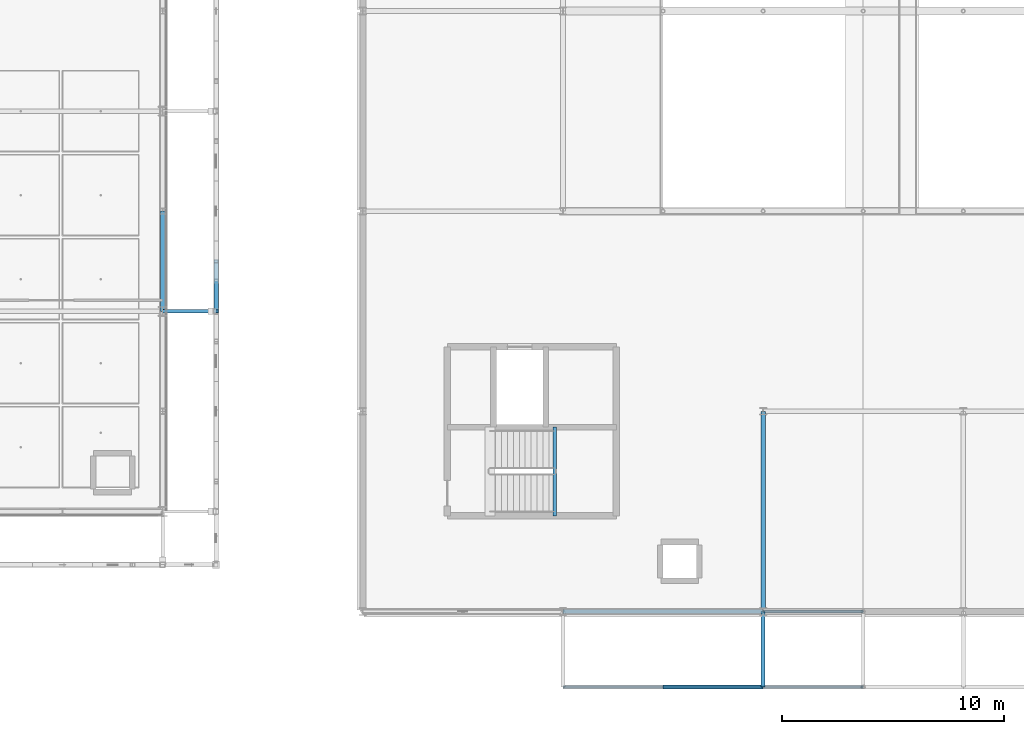
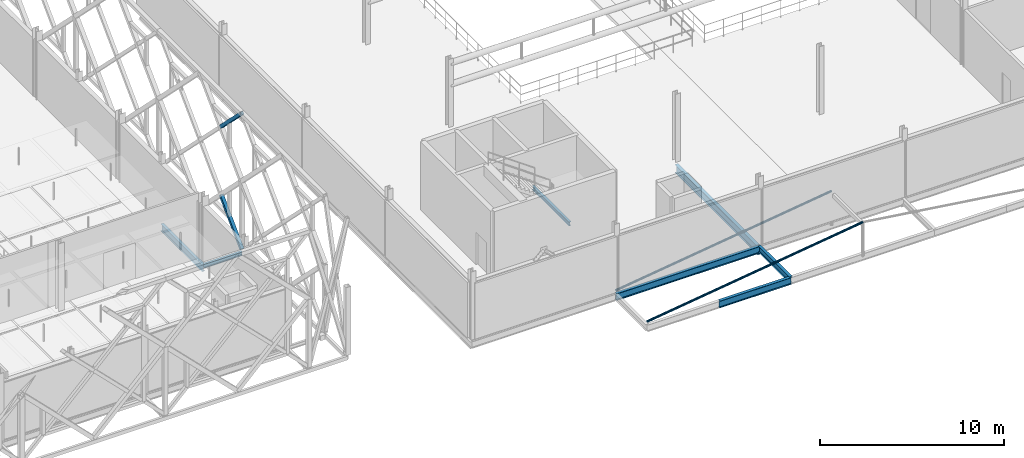
# One storey, part 33 of 140: 7 beams, 4 members.
"""IFC4 building model written with IfcOpenShell, lengths in metres."""

from ifc_helpers import new_model, si_unit, direction, frame, origin, origin_2d, place, context, subcontext, project, spatial, hollow_rectangle, hollow_circle, i_section, extrude, material, material_profile, profile_set, type_object, element, save


model = new_model("IFC4")

# Units and contexts
model_context = context("Model", 3, precision=1e-05, world=origin(), true_north=direction((0.0, 1.0)))
body_context = subcontext(model_context, "Body", "Model", "MODEL_VIEW")
ifc_project = project(units=[si_unit("LENGTHUNIT", "METRE"), si_unit("AREAUNIT", "SQUARE_METRE"), si_unit("VOLUMEUNIT", "CUBIC_METRE"), si_unit("PLANEANGLEUNIT", "RADIAN"), si_unit("MASSUNIT", "GRAM", prefix="KILO"), si_unit("THERMODYNAMICTEMPERATUREUNIT", "KELVIN"), si_unit("POWERUNIT", "WATT")], contexts=[model_context])

# Site, building, storey
site_placement = place(None, origin())
site = spatial("IfcSite", under=ifc_project, at=site_placement, CompositionType="ELEMENT")
building_placement = place(site_placement, origin())
building = spatial("IfcBuilding", under=site, at=building_placement, Name="Tallowbark Science Centre", CompositionType="ELEMENT")
storey_placement = place(building_placement, frame((0.0, 0.0, 9.89990234375)))
storey = spatial("IfcBuildingStorey", under=building, at=storey_placement, Name="L02", CompositionType="ELEMENT", Elevation=9.89990234375)

# Beams
ifc_material_1 = material(Name="White Architectural Painted Steel Grade C350L0 (350 MPa)", Category="steel")
ifc_material_profile_1 = material_profile(ifc_material_1, i_section(OverallWidth=0.146484375, OverallDepth=0.256103515625, WebThickness=0.00634765625, FlangeThickness=0.010986328125, FilletRadius=0.0087890625, at=origin_2d()), Name="250UB37.3")
ifc_profile_set_1 = profile_set([ifc_material_profile_1], Name="White Architectural Painted Steel Grade C350L0 (350 MPa)")
beam_type_1 = type_object("IfcBeamType", Name="BM-OUT250", PredefinedType="BEAM", material=ifc_profile_set_1)
beam_1_placement = place(storey_placement, frame((103.5, 13.5, -0.25), z_axis=(1.0, 0.0, 0.0), x_axis=(0.0, 1.0, 0.0)))
element("IfcBeam", 1, at=beam_1_placement, inside=storey, type_object=beam_type_1, Name="Star Screen Outrigger Tie Beam E-32", PredefinedType="BEAM", context=body_context, shape_type="SweptSolid", body=[
    extrude(i_section(OverallWidth=0.146484375, OverallDepth=0.256103515625, WebThickness=0.00634765625, FlangeThickness=0.010986328125, FilletRadius=0.0087890625, at=origin_2d()), origin(), (0.0, 0.0, 1.0), 2.39990234375),
])
ifc_material_2 = material(Name="Structural Steel Grade 300PLUS (300 MPa)", Category="steel")
ifc_material_profile_2 = material_profile(ifc_material_2, i_section(OverallWidth=0.177734375, OverallDepth=0.406494140625, WebThickness=0.0078125, FlangeThickness=0.0126953125, FilletRadius=0.011474609375, at=origin_2d()), Name="410UB59.7")
ifc_profile_set_2 = profile_set([ifc_material_profile_2], Name="Structural Steel Grade 300PLUS (300 MPa)")
beam_type_2 = type_object("IfcBeamType", Name="BM-UB410", PredefinedType="BEAM", material=ifc_profile_set_2)
beam_2_placement = place(storey_placement, frame((130.5, -3.39990234375, -0.383056640625), z_axis=(0.0, 1.0, 0.0), x_axis=(-1.0, 0.0, 0.0)))
element("IfcBeam", 2, at=beam_2_placement, inside=storey, type_object=beam_type_2, Name="Primary Girder GRDY-L02-1305--34-0", PredefinedType="BEAM", context=body_context, shape_type="SweptSolid", body=[
    extrude(i_section(OverallWidth=0.177734375, OverallDepth=0.406494140625, WebThickness=0.0078125, FlangeThickness=0.0126953125, FilletRadius=0.011474609375, at=origin_2d()), origin(), (0.0, 0.0, 1.0), 3.39990234375),
])
ifc_material_profile_3 = material_profile(ifc_material_2, i_section(OverallWidth=0.208740234375, OverallDepth=0.5283203125, WebThickness=0.009521484375, FlangeThickness=0.01318359375, FilletRadius=0.013916015625, at=origin_2d()), Name="530UB82.0")
ifc_profile_set_3 = profile_set([ifc_material_profile_3], Name="Structural Steel Grade 300PLUS (300 MPa)")
beam_type_3 = type_object("IfcBeamType", Name="BM-UB530B", PredefinedType="BEAM", material=ifc_profile_set_3)
beam_3_placement = place(storey_placement, frame((130.5, 0.0, -0.509033203125), z_axis=(0.0, 1.0, 0.0), x_axis=(-1.0, 0.0, 0.0)))
element("IfcBeam", 3, at=beam_3_placement, inside=storey, type_object=beam_type_3, Name="Primary Girder GRDY-L02-1305-0-90", PredefinedType="BEAM", context=body_context, shape_type="SweptSolid", body=[
    extrude(i_section(OverallWidth=0.208740234375, OverallDepth=0.5283203125, WebThickness=0.009521484375, FlangeThickness=0.01318359375, FilletRadius=0.013916015625, at=origin_2d()), origin(), (0.0, 0.0, 1.0), 9.0),
])
ifc_material_profile_4 = material_profile(ifc_material_2, i_section(OverallWidth=0.146484375, OverallDepth=0.256103515625, WebThickness=0.00634765625, FlangeThickness=0.010986328125, FilletRadius=0.0087890625, at=origin_2d()), Name="250UB37.3")
ifc_profile_set_4 = profile_set([ifc_material_profile_4], Name="Structural Steel Grade 300PLUS (300 MPa)")
beam_type_4 = type_object("IfcBeamType", Name="JST-UB250", PredefinedType="JOIST", material=ifc_profile_set_4)
beam_4_placement = place(storey_placement, frame((121.125, 4.300048828125, 1.922119140625), z_axis=(0.0, 1.0, 0.0), x_axis=(-1.0, 0.0, 0.0)))
element("IfcBeam", 4, at=beam_4_placement, inside=storey, type_object=beam_type_4, Name="Stair ST-06 Half-Landing Trimmer L02", PredefinedType="JOIST", context=body_context, shape_type="SweptSolid", body=[
    extrude(i_section(OverallWidth=0.146484375, OverallDepth=0.256103515625, WebThickness=0.00634765625, FlangeThickness=0.010986328125, FilletRadius=0.0087890625, at=origin_2d()), origin(), (0.0, 0.0, 1.0), 3.994873046875),
])

# Members
ifc_material_3 = material(Name="Structural Steel Grade C350L0 (350 MPa)", Category="steel")
ifc_material_profile_5 = material_profile(ifc_material_3, hollow_circle(Radius=0.06982421875, WallThickness=0.00634765625, at=origin_2d()), Name="139.7x6.3CHS")
ifc_profile_set_5 = profile_set([ifc_material_profile_5], Name="Structural Steel Grade C350L0 (350 MPa)")
member_type_1 = type_object("IfcMemberType", Name="RFT-139CHS", PredefinedType="RAFTER", material=ifc_profile_set_5)
for number, where, z_axis, x_axis, name in (
    (5, (121.5, -3.39990234375, 0.0), (0.990739671254, 0.0, 0.135775195833), (0.0, 1.0, 0.0), "Theatre Portico Pediment Rafter W -3.4"),
    (6, (121.5, 0.0, 0.0), (0.990739671254, 0.0, 0.135775195833), (0.0, 1.0, 0.0), "Theatre Portico Pediment Rafter W 0"),
):
    element("IfcMember", number, at=place(storey_placement, frame(where, z_axis=z_axis, x_axis=x_axis)), inside=storey, type_object=member_type_1, Name=name, PredefinedType="RAFTER", context=body_context, shape_type="SweptSolid", body=[
        extrude(hollow_circle(Radius=0.06982421875, WallThickness=0.00634765625, at=origin_2d()), origin(), (0.0, 0.0, 1.0), 13.626220703125),
    ])
ifc_material_profile_6 = material_profile(ifc_material_1, hollow_rectangle(XDim=0.199951171875, YDim=0.199951171875, WallThickness=0.009033203125, at=origin_2d()), Name="200x200x9.0SHS")
ifc_profile_set_6 = profile_set([ifc_material_profile_6], Name="White Architectural Painted Steel Grade C350L0 (350 MPa)")
member_type_2 = type_object("IfcMemberType", Name="SCR-STAR139", PredefinedType="BRACE", material=ifc_profile_set_6)
for number, where, z_axis, x_axis, name in (
    (7, (105.89990234375, 13.5, 0.0), (0.0, 0.707106781187, 0.707106781187), (-1.0, 0.0, 0.0), "Star Screen Continuous X-Diagonal D1A E-31"),
    (8, (105.89990234375, 13.5, 9.0), (0.0, 0.707106781187, -0.707106781187), (-1.0, 0.0, 0.0), "Star Screen Split X-Diagonal D2A E-31"),
):
    element("IfcMember", number, at=place(storey_placement, frame(where, z_axis=z_axis, x_axis=x_axis)), inside=storey, type_object=member_type_2, Name=name, PredefinedType="BRACE", context=body_context, shape_type="SweptSolid", body=[
        extrude(hollow_rectangle(XDim=0.199951171875, YDim=0.199951171875, WallThickness=0.009033203125, at=origin_2d()), origin(), (0.0, 0.0, 1.0), 3.181884765625),
    ])

# Beams
ifc_material_profile_7 = material_profile(ifc_material_2, i_section(OverallWidth=0.18994140625, OverallDepth=0.453857421875, WebThickness=0.008544921875, FlangeThickness=0.0126953125, FilletRadius=0.011474609375, at=origin_2d()), Name="460UB67.1")
ifc_profile_set_7 = profile_set([ifc_material_profile_7], Name="Structural Steel Grade 300PLUS (300 MPa)")
beam_type_5 = type_object("IfcBeamType", Name="SPN-UB460", PredefinedType="SPANDREL", material=ifc_profile_set_7)
beam_5_placement = place(storey_placement, frame((126.0, -3.39990234375, -0.40673828125), z_axis=(1.0, 0.0, 0.0), x_axis=(0.0, 1.0, 0.0)))
element("IfcBeam", 9, at=beam_5_placement, inside=storey, type_object=beam_type_5, Name="Primary Girder GRDX-L02-1260-1305--34", PredefinedType="SPANDREL", context=body_context, shape_type="SweptSolid", body=[
    extrude(i_section(OverallWidth=0.18994140625, OverallDepth=0.453857421875, WebThickness=0.008544921875, FlangeThickness=0.0126953125, FilletRadius=0.011474609375, at=origin_2d()), origin(), (0.0, 0.0, 1.0), 4.5),
])
beam_6_placement = place(storey_placement, frame((121.5, 0.0, -0.40673828125), z_axis=(1.0, 0.0, 0.0), x_axis=(0.0, 1.0, 0.0)))
element("IfcBeam", 10, at=beam_6_placement, inside=storey, type_object=beam_type_5, Name="Primary Girder GRDX-L02-1215-1305-0", PredefinedType="SPANDREL", context=body_context, shape_type="SweptSolid", body=[
    extrude(i_section(OverallWidth=0.18994140625, OverallDepth=0.453857421875, WebThickness=0.008544921875, FlangeThickness=0.0126953125, FilletRadius=0.011474609375, at=origin_2d()), origin(), (0.0, 0.0, 1.0), 9.0),
])
beam_7_placement = place(storey_placement, frame((103.5, 13.5, -0.40673828125), z_axis=(0.0, 1.0, 0.0), x_axis=(-1.0, 0.0, 0.0)))
element("IfcBeam", 11, at=beam_7_placement, inside=storey, type_object=beam_type_5, Name="Primary Girder GRDY-L02-1035-135-180", PredefinedType="SPANDREL", context=body_context, shape_type="SweptSolid", body=[
    extrude(i_section(OverallWidth=0.18994140625, OverallDepth=0.453857421875, WebThickness=0.008544921875, FlangeThickness=0.0126953125, FilletRadius=0.011474609375, at=origin_2d()), origin(), (0.0, 0.0, 1.0), 4.5),
])

save(model, "model.ifc")
